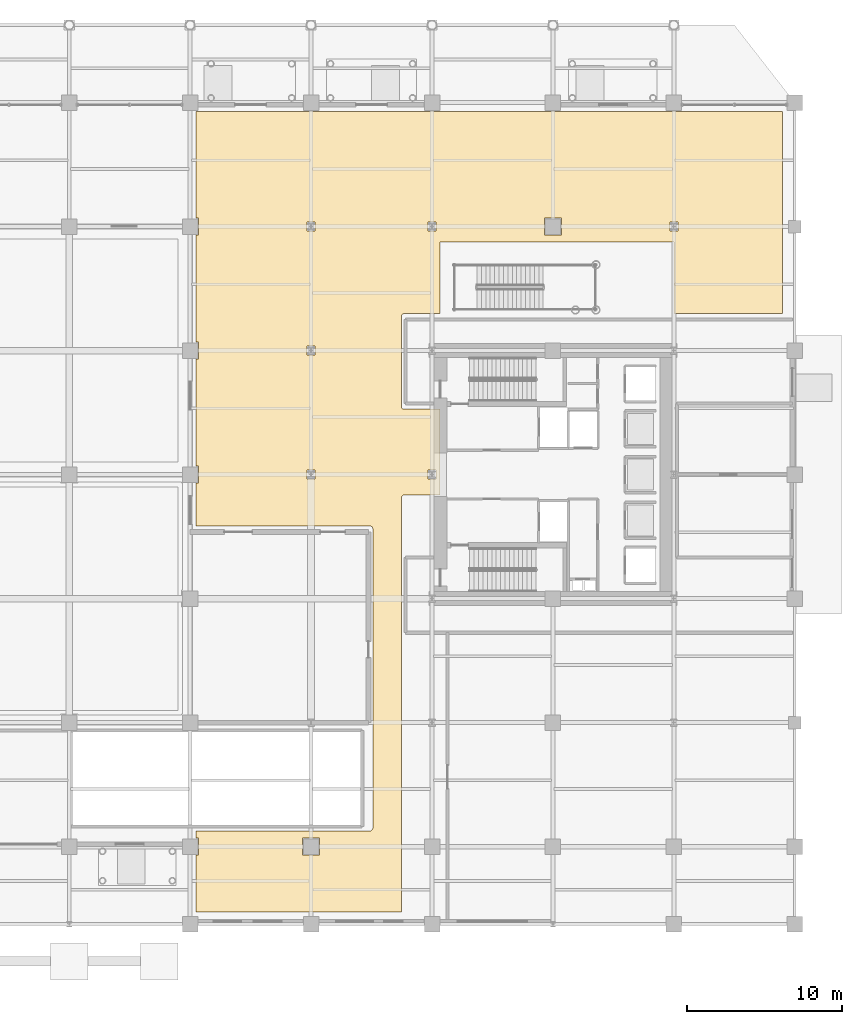
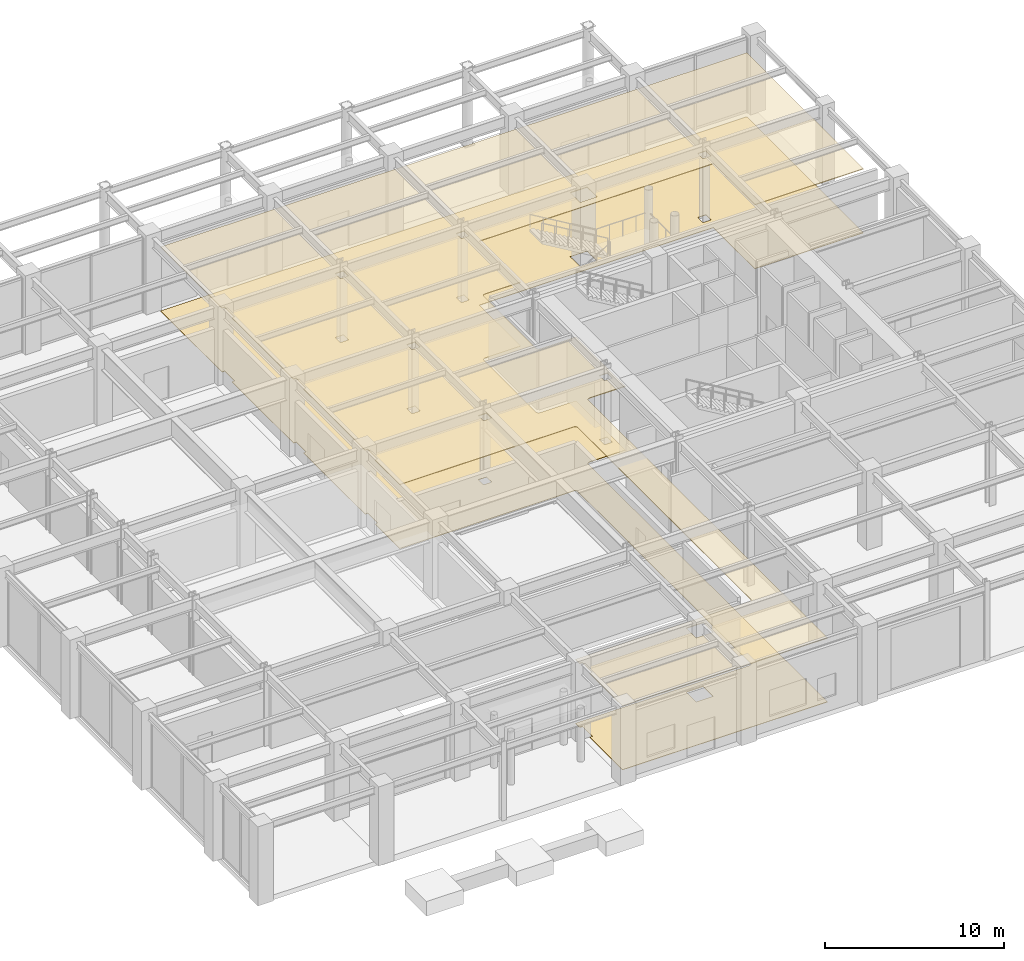
# One storey, part 25 of 27: 2 coverings.
"""IFC4 building model written with IfcOpenShell, lengths in metres."""

from ifc_helpers import new_model, si_unit, direction, frame, origin, place, context, subcontext, project, spatial, polyline, outline, extrude, material, layer, layer_set, type_object, element, save


model = new_model("IFC4")

# Units and contexts
model_context = context("Model", 3, precision=1e-05, world=origin(), true_north=direction((0.0, 1.0)))
body_context = subcontext(model_context, "Body", "Model", "MODEL_VIEW")
ifc_project = project(units=[si_unit("LENGTHUNIT", "METRE"), si_unit("AREAUNIT", "SQUARE_METRE"), si_unit("VOLUMEUNIT", "CUBIC_METRE"), si_unit("PLANEANGLEUNIT", "RADIAN"), si_unit("MASSUNIT", "GRAM", prefix="KILO")], contexts=[model_context])

# Site, building, storey
site_placement = place(None, origin())
site = spatial("IfcSite", under=ifc_project, at=site_placement, CompositionType="ELEMENT")
building_placement = place(site_placement, origin())
building = spatial("IfcBuilding", under=site, at=building_placement, Name="Veymaron Broadcast Tower", CompositionType="ELEMENT")
storey_placement = place(building_placement, origin())
storey = spatial("IfcBuildingStorey", under=building, at=storey_placement, Name="L00", CompositionType="ELEMENT", Elevation=0.0)

# Coverings
ifc_material_1 = material(Name="Micro-perforated dark-anodised aluminium baffle", Category="aluminium")
ifc_layer_1 = layer(ifc_material_1, 0.050048828125)
ifc_layer_set_1 = layer_set([ifc_layer_1], Name="Micro-perforated dark-anodised aluminium baffle")
covering_type_1 = type_object("IfcCoveringType", Name="COV-CEIL-MTL", PredefinedType="CEILING", material=ifc_layer_set_1)
covering_1_placement = place(storey_placement, frame((0.0, 0.0, 4.35009765625)))
element("IfcCovering", 1, at=covering_1_placement, inside=storey, type_object=covering_type_1, Name="L00 suspended acoustic ceiling 1", PredefinedType="CEILING", context=body_context, shape_type="SweptSolid", body=[
    extrude(outline(polyline([(37.060791015625, 22.6142578125), (37.05029296875, 22.60009765625), (37.041259765625, 22.5849609375), (37.03369140625, 22.56884765625), (37.02783203125, 22.55224609375), (37.0234375, 22.53515625), (37.02099609375, 22.517578125), (37.02001953125, 22.5), (37.02001953125, -4.219970703125), (23.780029296875, -4.219970703125), (23.780029296875, -0.550048828125), (23.949951171875, -0.550048828125), (23.949951171875, 0.550048828125), (23.780029296875, 0.550048828125), (23.780029296875, 1.02001953125), (35.0, 1.02001953125), (35.017578125, 1.02099609375), (35.03515625, 1.0234375), (35.05224609375, 1.02783203125), (35.06884765625, 1.03369140625), (35.0849609375, 1.041259765625), (35.10009765625, 1.05029296875), (35.1142578125, 1.060791015625), (35.127197265625, 1.07275390625), (35.13916015625, 1.085693359375), (35.149658203125, 1.10009765625), (35.15869140625, 1.114990234375), (35.166259765625, 1.131103515625), (35.172119140625, 1.147705078125), (35.176513671875, 1.164794921875), (35.17919921875, 1.182373046875), (35.179931640625, 1.199951171875), (35.179931640625, 20.5), (35.17919921875, 20.517578125), (35.176513671875, 20.53515625), (35.172119140625, 20.55224609375), (35.166259765625, 20.56884765625), (35.15869140625, 20.5849609375), (35.149658203125, 20.60009765625), (35.13916015625, 20.6142578125), (35.127197265625, 20.627197265625), (35.1142578125, 20.63916015625), (35.10009765625, 20.649658203125), (35.0849609375, 20.65869140625), (35.06884765625, 20.666259765625), (35.05224609375, 20.672119140625), (35.03515625, 20.676513671875), (35.017578125, 20.67919921875), (35.0, 20.679931640625), (23.780029296875, 20.679931640625), (23.780029296875, 23.449951171875), (23.949951171875, 23.449951171875), (23.949951171875, 24.550048828125), (23.780029296875, 24.550048828125), (23.780029296875, 31.449951171875), (23.949951171875, 31.449951171875), (23.949951171875, 32.550048828125), (23.780029296875, 32.550048828125), (23.780029296875, 39.449951171875), (23.949951171875, 39.449951171875), (23.949951171875, 40.550048828125), (23.780029296875, 40.550048828125), (23.780029296875, 47.419921875), (61.6201171875, 47.419921875), (61.6201171875, 34.3798828125), (54.60009765625, 34.3798828125), (54.60009765625, 39.0), (39.5, 39.0), (39.5, 34.3798828125), (37.199951171875, 34.3798828125), (37.182373046875, 34.379150390625), (37.164794921875, 34.37646484375), (37.147705078125, 34.372314453125), (37.131103515625, 34.3662109375), (37.114990234375, 34.358642578125), (37.10009765625, 34.349609375), (37.085693359375, 34.339111328125), (37.07275390625, 34.327392578125), (37.060791015625, 34.314208984375), (37.05029296875, 34.300048828125), (37.041259765625, 34.284912109375), (37.03369140625, 34.268798828125), (37.02783203125, 34.252197265625), (37.0234375, 34.235107421875), (37.02099609375, 34.217529296875), (37.02001953125, 34.199951171875), (37.02001953125, 28.39990234375), (37.02099609375, 28.38232421875), (37.0234375, 28.364990234375), (37.02783203125, 28.34765625), (37.03369140625, 28.3310546875), (37.041259765625, 28.315185546875), (37.05029296875, 28.300048828125), (37.060791015625, 28.285888671875), (37.07275390625, 28.272705078125), (37.085693359375, 28.260986328125), (37.10009765625, 28.250244140625), (37.114990234375, 28.2412109375), (37.131103515625, 28.233642578125), (37.147705078125, 28.227783203125), (37.164794921875, 28.223388671875), (37.182373046875, 28.220947265625), (37.199951171875, 28.219970703125), (39.5, 28.219970703125), (39.5, 22.679931640625), (37.199951171875, 22.679931640625), (37.182373046875, 22.67919921875), (37.164794921875, 22.676513671875), (37.147705078125, 22.672119140625), (37.131103515625, 22.666259765625), (37.114990234375, 22.65869140625), (37.10009765625, 22.649658203125), (37.085693359375, 22.63916015625), (37.07275390625, 22.627197265625), (37.060791015625, 22.6142578125)]), holes=[polyline([(54.862060546875, 39.712890625), (54.862060546875, 40.287109375), (54.337890625, 40.287109375), (54.337890625, 39.712890625), (54.862060546875, 39.712890625)]), polyline([(47.35009765625, 40.550048828125), (46.25, 40.550048828125), (46.25, 39.449951171875), (47.35009765625, 39.449951171875), (47.35009765625, 40.550048828125)]), polyline([(38.738037109375, 23.712890625), (39.261962890625, 23.712890625), (39.261962890625, 24.287109375), (38.738037109375, 24.287109375), (38.738037109375, 23.712890625)]), polyline([(39.261962890625, 40.287109375), (38.738037109375, 40.287109375), (38.738037109375, 39.712890625), (39.261962890625, 39.712890625), (39.261962890625, 40.287109375)]), polyline([(30.64990234375, 0.550048828125), (30.64990234375, -0.550048828125), (31.75, -0.550048828125), (31.75, 0.550048828125), (30.64990234375, 0.550048828125)]), polyline([(30.93798828125, 31.712890625), (31.4619140625, 31.712890625), (31.4619140625, 32.287109375), (30.93798828125, 32.287109375), (30.93798828125, 31.712890625)]), polyline([(30.93798828125, 40.287109375), (30.93798828125, 39.712890625), (31.4619140625, 39.712890625), (31.4619140625, 40.287109375), (30.93798828125, 40.287109375)]), polyline([(31.4619140625, 23.712890625), (31.4619140625, 24.287109375), (30.93798828125, 24.287109375), (30.93798828125, 23.712890625), (31.4619140625, 23.712890625)])]), origin(), (0.0, 0.0, 1.0), 0.0498046875),
])
ifc_material_2 = material(Name="Honed Saudi basalt stone flooring", Category="masonry")
ifc_layer_2 = layer(ifc_material_2, 0.030029296875)
ifc_layer_set_2 = layer_set([ifc_layer_2], Name="Honed Saudi basalt stone flooring")
covering_type_2 = type_object("IfcCoveringType", Name="COV-FLR-STN", PredefinedType="FLOORING", material=ifc_layer_set_2)
covering_2_placement = place(storey_placement, origin())
element("IfcCovering", 2, at=covering_2_placement, inside=storey, type_object=covering_type_2, Name="L00 finished flooring 1", PredefinedType="FLOORING", context=body_context, shape_type="SweptSolid", body=[
    extrude(outline(polyline([(37.060791015625, 22.6142578125), (37.05029296875, 22.60009765625), (37.041259765625, 22.5849609375), (37.03369140625, 22.56884765625), (37.02783203125, 22.55224609375), (37.0234375, 22.53515625), (37.02099609375, 22.517578125), (37.02001953125, 22.5), (37.02001953125, -4.219970703125), (23.780029296875, -4.219970703125), (23.780029296875, -0.550048828125), (23.949951171875, -0.550048828125), (23.949951171875, 0.550048828125), (23.780029296875, 0.550048828125), (23.780029296875, 1.02001953125), (35.0, 1.02001953125), (35.017578125, 1.02099609375), (35.03515625, 1.0234375), (35.05224609375, 1.02783203125), (35.06884765625, 1.03369140625), (35.0849609375, 1.041259765625), (35.10009765625, 1.05029296875), (35.1142578125, 1.060791015625), (35.127197265625, 1.07275390625), (35.13916015625, 1.085693359375), (35.149658203125, 1.10009765625), (35.15869140625, 1.114990234375), (35.166259765625, 1.131103515625), (35.172119140625, 1.147705078125), (35.176513671875, 1.164794921875), (35.17919921875, 1.182373046875), (35.179931640625, 1.199951171875), (35.179931640625, 20.5), (35.17919921875, 20.517578125), (35.176513671875, 20.53515625), (35.172119140625, 20.55224609375), (35.166259765625, 20.56884765625), (35.15869140625, 20.5849609375), (35.149658203125, 20.60009765625), (35.13916015625, 20.6142578125), (35.127197265625, 20.627197265625), (35.1142578125, 20.63916015625), (35.10009765625, 20.649658203125), (35.0849609375, 20.65869140625), (35.06884765625, 20.666259765625), (35.05224609375, 20.672119140625), (35.03515625, 20.676513671875), (35.017578125, 20.67919921875), (35.0, 20.679931640625), (23.780029296875, 20.679931640625), (23.780029296875, 23.449951171875), (23.949951171875, 23.449951171875), (23.949951171875, 24.550048828125), (23.780029296875, 24.550048828125), (23.780029296875, 31.449951171875), (23.949951171875, 31.449951171875), (23.949951171875, 32.550048828125), (23.780029296875, 32.550048828125), (23.780029296875, 39.449951171875), (23.949951171875, 39.449951171875), (23.949951171875, 40.550048828125), (23.780029296875, 40.550048828125), (23.780029296875, 47.419921875), (61.6201171875, 47.419921875), (61.6201171875, 34.3798828125), (54.60009765625, 34.3798828125), (54.60009765625, 39.0), (39.5, 39.0), (39.5, 34.3798828125), (37.199951171875, 34.3798828125), (37.182373046875, 34.379150390625), (37.164794921875, 34.37646484375), (37.147705078125, 34.372314453125), (37.131103515625, 34.3662109375), (37.114990234375, 34.358642578125), (37.10009765625, 34.349609375), (37.085693359375, 34.339111328125), (37.07275390625, 34.327392578125), (37.060791015625, 34.314208984375), (37.05029296875, 34.300048828125), (37.041259765625, 34.284912109375), (37.03369140625, 34.268798828125), (37.02783203125, 34.252197265625), (37.0234375, 34.235107421875), (37.02099609375, 34.217529296875), (37.02001953125, 34.199951171875), (37.02001953125, 28.39990234375), (37.02099609375, 28.38232421875), (37.0234375, 28.364990234375), (37.02783203125, 28.34765625), (37.03369140625, 28.3310546875), (37.041259765625, 28.315185546875), (37.05029296875, 28.300048828125), (37.060791015625, 28.285888671875), (37.07275390625, 28.272705078125), (37.085693359375, 28.260986328125), (37.10009765625, 28.250244140625), (37.114990234375, 28.2412109375), (37.131103515625, 28.233642578125), (37.147705078125, 28.227783203125), (37.164794921875, 28.223388671875), (37.182373046875, 28.220947265625), (37.199951171875, 28.219970703125), (39.5, 28.219970703125), (39.5, 22.679931640625), (37.199951171875, 22.679931640625), (37.182373046875, 22.67919921875), (37.164794921875, 22.676513671875), (37.147705078125, 22.672119140625), (37.131103515625, 22.666259765625), (37.114990234375, 22.65869140625), (37.10009765625, 22.649658203125), (37.085693359375, 22.63916015625), (37.07275390625, 22.627197265625), (37.060791015625, 22.6142578125)]), holes=[polyline([(54.862060546875, 39.712890625), (54.862060546875, 40.287109375), (54.337890625, 40.287109375), (54.337890625, 39.712890625), (54.862060546875, 39.712890625)]), polyline([(47.35009765625, 40.550048828125), (46.25, 40.550048828125), (46.25, 39.449951171875), (47.35009765625, 39.449951171875), (47.35009765625, 40.550048828125)]), polyline([(38.738037109375, 23.712890625), (39.261962890625, 23.712890625), (39.261962890625, 24.287109375), (38.738037109375, 24.287109375), (38.738037109375, 23.712890625)]), polyline([(39.261962890625, 40.287109375), (38.738037109375, 40.287109375), (38.738037109375, 39.712890625), (39.261962890625, 39.712890625), (39.261962890625, 40.287109375)]), polyline([(30.64990234375, 0.550048828125), (30.64990234375, -0.550048828125), (31.75, -0.550048828125), (31.75, 0.550048828125), (30.64990234375, 0.550048828125)]), polyline([(30.93798828125, 31.712890625), (31.4619140625, 31.712890625), (31.4619140625, 32.287109375), (30.93798828125, 32.287109375), (30.93798828125, 31.712890625)]), polyline([(30.93798828125, 40.287109375), (30.93798828125, 39.712890625), (31.4619140625, 39.712890625), (31.4619140625, 40.287109375), (30.93798828125, 40.287109375)]), polyline([(31.4619140625, 23.712890625), (31.4619140625, 24.287109375), (30.93798828125, 24.287109375), (30.93798828125, 23.712890625), (31.4619140625, 23.712890625)])]), origin(), (0.0, 0.0, 1.0), 0.030029296875),
])

save(model, "model.ifc")
